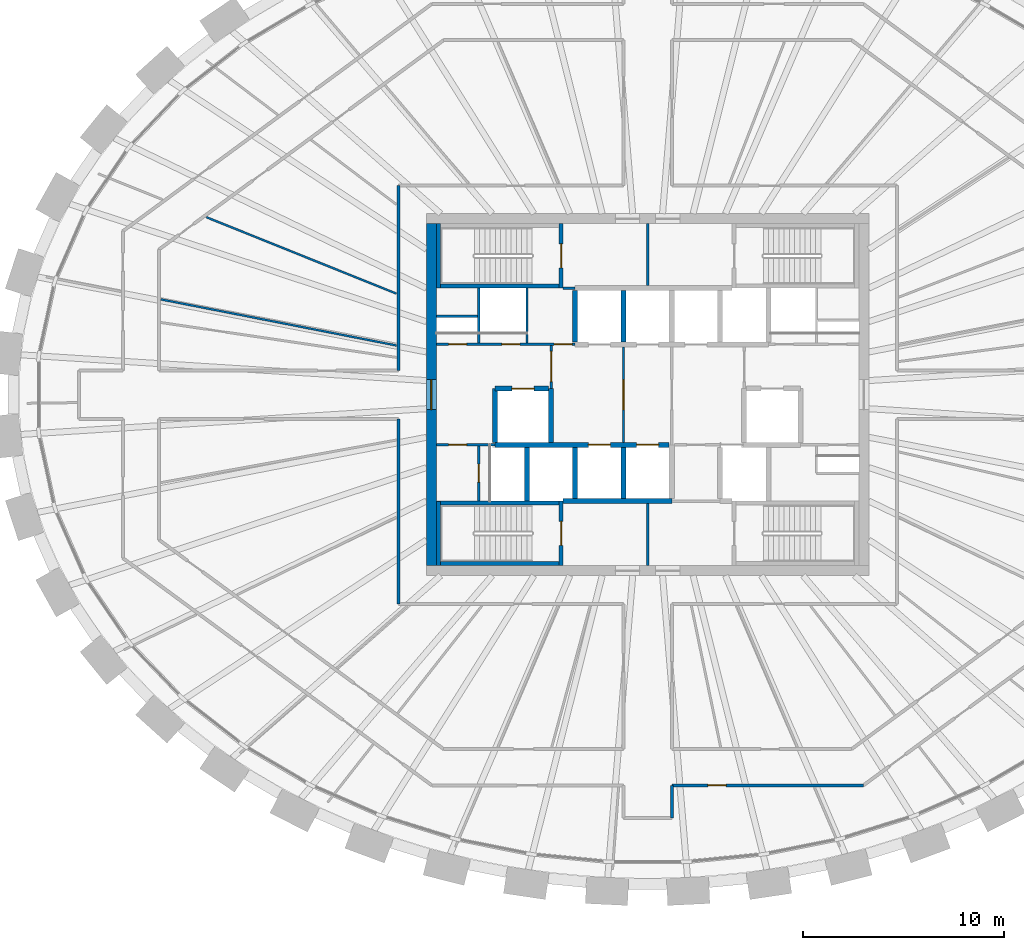
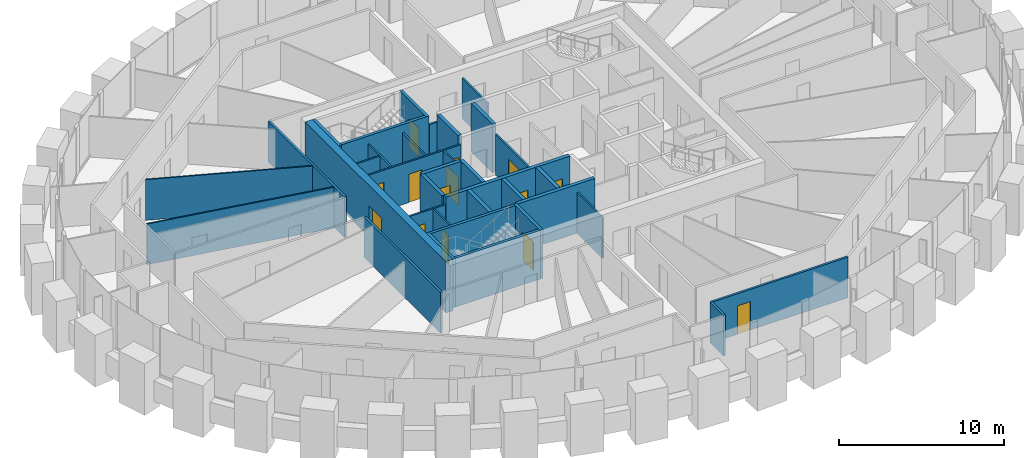
# One storey, part 7 of 12: 35 walls, 14 doors, 14 openings.
"""IFC4 building model written with IfcOpenShell, lengths in metres."""

from ifc_helpers import new_model, si_unit, direction, frame, frame_2d, origin, place, context, subcontext, project, spatial, rectangle, extrude, source, transform, mapped, material, layer, layer_set, type_object, element, fill, save


model = new_model("IFC4")

# Units and contexts
model_context = context("Model", 3, precision=1e-05, world=origin(), true_north=direction((0.0, 1.0)))
body_context = subcontext(model_context, "Body", "Model", "MODEL_VIEW")
ifc_project = project(units=[si_unit("LENGTHUNIT", "METRE"), si_unit("AREAUNIT", "SQUARE_METRE"), si_unit("VOLUMEUNIT", "CUBIC_METRE"), si_unit("PLANEANGLEUNIT", "RADIAN"), si_unit("MASSUNIT", "GRAM", prefix="KILO")], contexts=[model_context])

# Site, building, storey
site_placement = place(None, origin())
site = spatial("IfcSite", under=ifc_project, at=site_placement, CompositionType="ELEMENT")
building_placement = place(site_placement, origin())
building = spatial("IfcBuilding", under=site, at=building_placement, Name="Embergate Tower", CompositionType="ELEMENT")
storey_placement = place(building_placement, frame((0.0, 0.0, 285.10009765625)))
storey = spatial("IfcBuildingStorey", under=building, at=storey_placement, Name="L66", CompositionType="ELEMENT", Elevation=285.10009765625)

# Wall, opening, door
ifc_material_1 = material(Name="Concrete C50", Category="concrete")
ifc_layer_1 = layer(ifc_material_1, 0.5)
ifc_layer_set_1 = layer_set([ifc_layer_1], Name="Concrete C50")
wall_type_1 = type_object("IfcWallType", Name="Core outer wall C50 500", PredefinedType="SHEAR", material=ifc_layer_set_1)
shared_shape_1 = source(origin(), body_context, "Body", "SweptSolid", [
    extrude(rectangle(XDim=17.0, YDim=0.5, at=frame_2d((8.5, 0.0))), origin(), (0.0, 0.0, 1.0), 3.800048828125),
])
wall_1_placement = place(storey_placement, frame((-10.75, -8.5, -0.2001953125), z_axis=(0.0, 0.0, 1.0), x_axis=(0.0, 1.0, 0.0)))
wall_1 = element("IfcWall", 1, at=wall_1_placement, inside=storey, type_object=wall_type_1, Name="CW-L66-W", PredefinedType="SHEAR", context=body_context, shape_type="MappedRepresentation", body=[
    mapped(shared_shape_1, transform((0.0, 0.0, 0.0))),
])
shared_shape_2 = source(origin(), body_context, "Body", "SweptSolid", [
    extrude(rectangle(XDim=1.5, YDim=2.10009765625, at=frame_2d((0.75, 1.050048828125))), frame((0.0, 0.260009765625, 0.0), z_axis=(0.0, -1.0, 0.0), x_axis=(1.0, 0.0, 0.0)), (0.0, 0.0, 1.0), 0.52001953125),
])
opening_1_placement = place(wall_1_placement, frame((7.75, 0.0, 0.199951171875)))
opening_1 = element("IfcOpeningElement", 2, at=opening_1_placement, cuts=wall_1, Name="Opening IF-3", PredefinedType="OPENING", context=body_context, shape_type="MappedRepresentation", body=[
    mapped(shared_shape_2, transform((0.0, 0.0, 0.0))),
])
ifc_material_2 = material(Name="Lobby fire door pair 1500")
door_type_1 = type_object("IfcDoorType", Name="Lobby fire door pair 1500", OperationType="DOUBLE_DOOR_SINGLE_SWING", PredefinedType="DOOR", material=ifc_material_2)
shared_shape_3 = source(origin(), body_context, "Body", "SweptSolid", [
    extrude(rectangle(XDim=1.5, YDim=2.10009765625, at=frame_2d((0.75, 1.050048828125))), frame((0.0, 0.02490234375, 0.0), z_axis=(0.0, -1.0, 0.0), x_axis=(1.0, 0.0, 0.0)), (0.0, 0.0, 1.0), 0.050048828125),
])
door_1_placement = place(opening_1_placement, origin())
door_1 = element("IfcDoor", 3, at=door_1_placement, inside=storey, type_object=door_type_1, Name="IF-3 door", OperationType="DOUBLE_DOOR_SINGLE_SWING", OverallHeight=2.10009765625, OverallWidth=1.5, PredefinedType="DOOR", context=body_context, shape_type="MappedRepresentation", body=[
    mapped(shared_shape_3, transform((0.0, 0.0, 0.0))),
])
fill(opening_1, door_1)

# Wall
ifc_material_3 = material(Name="Core partition blockwork 120")
ifc_layer_2 = layer(ifc_material_3, 0.1201171875)
ifc_layer_set_2 = layer_set([ifc_layer_2], Name="Core partition blockwork 120")
wall_type_2 = type_object("IfcWallType", Name="Core partition blockwork 120", PredefinedType="PARTITIONING", material=ifc_layer_set_2)
shared_shape_4 = source(origin(), body_context, "Body", "SweptSolid", [
    extrude(rectangle(XDim=2.739990234375, YDim=0.1201171875, at=frame_2d((1.3701171875, 0.0))), origin(), (0.0, 0.0, 1.0), 3.0),
])
wall_2_placement = place(storey_placement, frame((-6.0, 2.56005859375, 0.0), z_axis=(0.0, 0.0, 1.0), x_axis=(0.0, 1.0, 0.0)))
element("IfcWall", 4, at=wall_2_placement, inside=storey, type_object=wall_type_2, Name="IP-3 wall", PredefinedType="PARTITIONING", context=body_context, shape_type="MappedRepresentation", body=[
    mapped(shared_shape_4, transform((0.0, 0.0, 0.0))),
])

# Wall, opening, door
wall_3_placement = place(storey_placement, frame((-8.39990234375, -2.56005859375, 0.0), z_axis=(0.0, 0.0, 1.0), x_axis=(0.0, -1.0, 0.0)))
wall_3 = element("IfcWall", 5, at=wall_3_placement, inside=storey, type_object=wall_type_2, Name="IP-3 wall", PredefinedType="PARTITIONING", context=body_context, shape_type="MappedRepresentation", body=[
    mapped(shared_shape_4, transform((0.0, 0.0, 0.0))),
])
shared_shape_5 = source(origin(), body_context, "Body", "SweptSolid", [
    extrude(rectangle(XDim=0.89990234375, YDim=2.10009765625, at=frame_2d((0.449951171875, 1.050048828125))), frame((0.0, 0.070068359375, 0.0), z_axis=(0.0, -1.0, 0.0), x_axis=(1.0, 0.0, 0.0)), (0.0, 0.0, 1.0), 0.14013671875),
])
opening_2_placement = place(wall_3_placement, frame((0.889892578125, 0.0, 0.0)))
opening_2 = element("IfcOpeningElement", 6, at=opening_2_placement, cuts=wall_3, Name="Opening ID-1", PredefinedType="OPENING", context=body_context, shape_type="MappedRepresentation", body=[
    mapped(shared_shape_5, transform((0.0, 0.0, 0.0))),
])
ifc_material_4 = material(Name="Interior door 900")
door_type_2 = type_object("IfcDoorType", Name="Interior door 900", OperationType="SINGLE_SWING_LEFT", PredefinedType="DOOR", material=ifc_material_4)
shared_shape_6 = source(origin(), body_context, "Body", "SweptSolid", [
    extrude(rectangle(XDim=0.89990234375, YDim=2.10009765625, at=frame_2d((0.449951171875, 1.050048828125))), frame((0.0, 0.02490234375, 0.0), z_axis=(0.0, -1.0, 0.0), x_axis=(1.0, 0.0, 0.0)), (0.0, 0.0, 1.0), 0.050048828125),
])
door_2_placement = place(opening_2_placement, origin())
door_2 = element("IfcDoor", 7, at=door_2_placement, inside=storey, type_object=door_type_2, Name="ID-1 door", OperationType="SINGLE_SWING_LEFT", OverallHeight=2.10009765625, OverallWidth=0.89990234375, PredefinedType="DOOR", context=body_context, shape_type="MappedRepresentation", body=[
    mapped(shared_shape_6, transform((0.0, 0.0, 0.0))),
])
fill(opening_2, door_2)

shared_shape_7 = source(origin(), body_context, "Body", "SweptSolid", [
    extrude(rectangle(XDim=4.75, YDim=0.1201171875, at=frame_2d((2.375, 0.0))), origin(), (0.0, 0.0, 1.0), 3.0),
])
wall_4_placement = place(storey_placement, frame((-1.199951171875, -2.375, 0.0), z_axis=(0.0, 0.0, 1.0), x_axis=(0.0, 1.0, 0.0)))
wall_4 = element("IfcWall", 8, at=wall_4_placement, inside=storey, type_object=wall_type_2, Name="IP-3 wall", PredefinedType="PARTITIONING", context=body_context, shape_type="MappedRepresentation", body=[
    mapped(shared_shape_7, transform((0.0, 0.0, 0.0))),
])
shared_shape_8 = source(origin(), body_context, "Body", "SweptSolid", [
    extrude(rectangle(XDim=1.5, YDim=2.10009765625, at=frame_2d((0.75, 1.050048828125))), frame((0.0, 0.070068359375, 0.0), z_axis=(0.0, -1.0, 0.0), x_axis=(1.0, 0.0, 0.0)), (0.0, 0.0, 1.0), 0.14013671875),
])
opening_3_placement = place(wall_4_placement, frame((1.625, 0.0, 0.0)))
opening_3 = element("IfcOpeningElement", 9, at=opening_3_placement, cuts=wall_4, Name="Opening IF-3", PredefinedType="OPENING", context=body_context, shape_type="MappedRepresentation", body=[
    mapped(shared_shape_8, transform((0.0, 0.0, 0.0))),
])
door_3_placement = place(opening_3_placement, origin())
door_3 = element("IfcDoor", 10, at=door_3_placement, inside=storey, type_object=door_type_1, Name="IF-3 door", OperationType="DOUBLE_DOOR_SINGLE_SWING", OverallHeight=2.10009765625, OverallWidth=1.5, PredefinedType="DOOR", context=body_context, shape_type="MappedRepresentation", body=[
    mapped(shared_shape_3, transform((0.0, 0.0, 0.0))),
])
fill(opening_3, door_3)

# Walls
ifc_layer_3 = layer(ifc_material_1, 0.25)
ifc_layer_set_3 = layer_set([ifc_layer_3], Name="Concrete C50")
wall_type_3 = type_object("IfcWallType", Name="Hoistway wall reinforced concrete 250", PredefinedType="SHEAR", material=ifc_layer_set_3)
shared_shape_9 = source(origin(), body_context, "Body", "SweptSolid", [
    extrude(rectangle(XDim=2.675048828125, YDim=0.25, at=frame_2d((1.33740234375, 0.0))), origin(), (0.0, 0.0, 1.0), 3.599853515625),
])
for number, where, z_axis, x_axis, name in (
    (11, (-6.0, -5.300048828125, 0.0), (0.0, 0.0, 1.0), (0.0, 1.0, 0.0), "HW-1 wall"),
    (12, (-4.800048828125, 0.300048828125, 0.0), (0.0, 0.0, 1.0), (0.0, -1.0, 0.0), "HW-1 wall"),
):
    element("IfcWall", number, at=place(storey_placement, frame(where, z_axis=z_axis, x_axis=x_axis)), inside=storey, type_object=wall_type_3, Name=name, PredefinedType="SHEAR", context=body_context, shape_type="MappedRepresentation", body=[
        mapped(shared_shape_9, transform((0.0, 0.0, 0.0))),
    ])

# Wall, opening, door
wall_5_placement = place(storey_placement, frame((-4.925048828125, 0.300048828125, 0.0), z_axis=(0.0, 0.0, 1.0), x_axis=(-1.0, 0.0, 0.0)))
wall_5 = element("IfcWall", 13, at=wall_5_placement, inside=storey, type_object=wall_type_3, Name="HW-1 wall", PredefinedType="SHEAR", context=body_context, shape_type="MappedRepresentation", body=[
    mapped(shared_shape_9, transform((0.0, 0.0, 0.0))),
])
shared_shape_10 = source(origin(), body_context, "Body", "SweptSolid", [
    extrude(rectangle(XDim=1.10009765625, YDim=2.10009765625, at=frame_2d((0.550048828125, 1.050048828125))), frame((0.0, 0.135009765625, 0.0), z_axis=(0.0, -1.0, 0.0), x_axis=(1.0, 0.0, 0.0)), (0.0, 0.0, 1.0), 0.27001953125),
])
opening_4_placement = place(wall_5_placement, frame((0.72509765625, 0.0, 0.0)))
opening_4 = element("IfcOpeningElement", 14, at=opening_4_placement, cuts=wall_5, Name="Opening LD", PredefinedType="OPENING", context=body_context, shape_type="MappedRepresentation", body=[
    mapped(shared_shape_10, transform((0.0, 0.0, 0.0))),
])
ifc_material_5 = material(Name="Landing door sliding 1100")
door_type_3 = type_object("IfcDoorType", Name="Landing door sliding 1100", OperationType="SLIDING_TO_LEFT", PredefinedType="DOOR", material=ifc_material_5)
shared_shape_11 = source(origin(), body_context, "Body", "SweptSolid", [
    extrude(rectangle(XDim=1.10009765625, YDim=2.10009765625, at=frame_2d((0.550048828125, 1.050048828125))), frame((0.0, 0.02490234375, 0.0), z_axis=(0.0, -1.0, 0.0), x_axis=(1.0, 0.0, 0.0)), (0.0, 0.0, 1.0), 0.050048828125),
])
door_4_placement = place(opening_4_placement, origin())
door_4 = element("IfcDoor", 15, at=door_4_placement, inside=storey, type_object=door_type_3, Name="LD door", OperationType="SLIDING_TO_RIGHT", OverallHeight=2.10009765625, OverallWidth=1.10009765625, PredefinedType="DOOR", context=body_context, shape_type="MappedRepresentation", body=[
    mapped(shared_shape_11, transform((0.0, 0.0, 0.0))),
])
fill(opening_4, door_4)

# Walls
wall_6_placement = place(storey_placement, frame((-7.60009765625, 0.300048828125, 0.0), z_axis=(0.0, 0.0, 1.0), x_axis=(0.0, -1.0, 0.0)))
element("IfcWall", 16, at=wall_6_placement, inside=storey, type_object=wall_type_3, Name="HW-1 wall", PredefinedType="SHEAR", context=body_context, shape_type="MappedRepresentation", body=[
    mapped(shared_shape_9, transform((0.0, 0.0, 0.0))),
])
ifc_layer_4 = layer(ifc_material_1, 0.199951171875)
ifc_layer_set_4 = layer_set([ifc_layer_4], Name="Concrete C50")
wall_type_4 = type_object("IfcWallType", Name="Stair enclosure wall reinforced concrete 250", PredefinedType="SHEAR", material=ifc_layer_set_4)
shared_shape_12 = source(origin(), body_context, "Body", "SweptSolid", [
    extrude(rectangle(XDim=6.300048828125, YDim=0.199951171875, at=frame_2d((3.14990234375, 0.0))), origin(), (0.0, 0.0, 1.0), 3.599853515625),
])
for number, where, z_axis, x_axis, name in (
    (17, (-4.199951171875, 5.39990234375, 0.0), (0.0, 0.0, 1.0), (-1.0, 0.0, 0.0), "SE-1 wall"),
    (18, (-10.5, -5.39990234375, 0.0), (0.0, 0.0, 1.0), (1.0, 0.0, 0.0), "SE-1 wall"),
):
    element("IfcWall", number, at=place(storey_placement, frame(where, z_axis=z_axis, x_axis=x_axis)), inside=storey, type_object=wall_type_4, Name=name, PredefinedType="SHEAR", context=body_context, shape_type="MappedRepresentation", body=[
        mapped(shared_shape_12, transform((0.0, 0.0, 0.0))),
    ])
shared_shape_13 = source(origin(), body_context, "Body", "SweptSolid", [
    extrude(rectangle(XDim=2.550048828125, YDim=0.25, at=frame_2d((1.27490234375, 0.0))), origin(), (0.0, 0.0, 1.0), 3.599853515625),
])
for number, where, z_axis, x_axis, name in (
    (19, (-1.199951171875, 2.625, 0.0), (0.0, 0.0, 1.0), (0.0, 1.0, 0.0), "HW-1 wall"),
    (20, (-3.60009765625, 5.175048828125, 0.0), (0.0, 0.0, 1.0), (0.0, -1.0, 0.0), "HW-1 wall"),
    (21, (-3.60009765625, -5.175048828125, 0.0), (0.0, 0.0, 1.0), (0.0, 1.0, 0.0), "HW-1 wall"),
    (22, (-1.199951171875, -5.175048828125, 0.0), (0.0, 0.0, 1.0), (0.0, 1.0, 0.0), "HW-1 wall"),
):
    element("IfcWall", number, at=place(storey_placement, frame(where, z_axis=z_axis, x_axis=x_axis)), inside=storey, type_object=wall_type_3, Name=name, PredefinedType="SHEAR", context=body_context, shape_type="MappedRepresentation", body=[
        mapped(shared_shape_13, transform((0.0, 0.0, 0.0))),
    ])

# Wall, opening, door
shared_shape_14 = source(origin(), body_context, "Body", "SweptSolid", [
    extrude(rectangle(XDim=3.199951171875, YDim=0.199951171875, at=frame_2d((1.60009765625, 0.0))), origin(), (0.0, 0.0, 1.0), 3.599853515625),
])
wall_7_placement = place(storey_placement, frame((-4.300048828125, 5.300048828125, 0.0), z_axis=(0.0, 0.0, 1.0), x_axis=(0.0, 1.0, 0.0)))
wall_7 = element("IfcWall", 23, at=wall_7_placement, inside=storey, type_object=wall_type_4, Name="SE-1 wall", PredefinedType="SHEAR", context=body_context, shape_type="MappedRepresentation", body=[
    mapped(shared_shape_14, transform((0.0, 0.0, 0.0))),
])
shared_shape_15 = source(origin(), body_context, "Body", "SweptSolid", [
    extrude(rectangle(XDim=1.199951171875, YDim=2.10009765625, at=frame_2d((0.60009765625, 1.050048828125))), frame((0.0, 0.10986328125, 0.0), z_axis=(0.0, -1.0, 0.0), x_axis=(1.0, 0.0, 0.0)), (0.0, 0.0, 1.0), 0.219970703125),
])
opening_5_placement = place(wall_7_placement, frame((1.0, 0.0, 0.0)))
opening_5 = element("IfcOpeningElement", 24, at=opening_5_placement, cuts=wall_7, Name="Opening IF-2", PredefinedType="OPENING", context=body_context, shape_type="MappedRepresentation", body=[
    mapped(shared_shape_15, transform((0.0, 0.0, 0.0))),
])
ifc_material_6 = material(Name="Stair enclosure door 1200")
door_type_4 = type_object("IfcDoorType", Name="Stair enclosure door 1200", OperationType="SINGLE_SWING_LEFT", PredefinedType="DOOR", material=ifc_material_6)
shared_shape_16 = source(origin(), body_context, "Body", "SweptSolid", [
    extrude(rectangle(XDim=1.199951171875, YDim=2.10009765625, at=frame_2d((0.60009765625, 1.050048828125))), frame((0.0, 0.02490234375, 0.0), z_axis=(0.0, -1.0, 0.0), x_axis=(1.0, 0.0, 0.0)), (0.0, 0.0, 1.0), 0.050048828125),
])
door_5_placement = place(opening_5_placement, origin())
door_5 = element("IfcDoor", 25, at=door_5_placement, inside=storey, type_object=door_type_4, Name="IF-2 door", OperationType="SINGLE_SWING_RIGHT", OverallHeight=2.10009765625, OverallWidth=1.199951171875, PredefinedType="DOOR", context=body_context, shape_type="MappedRepresentation", body=[
    mapped(shared_shape_16, transform((0.0, 0.0, 0.0))),
])
fill(opening_5, door_5)

wall_8_placement = place(storey_placement, frame((-4.300048828125, -8.5, 0.0), z_axis=(0.0, 0.0, 1.0), x_axis=(0.0, 1.0, 0.0)))
wall_8 = element("IfcWall", 26, at=wall_8_placement, inside=storey, type_object=wall_type_4, Name="SE-1 wall", PredefinedType="SHEAR", context=body_context, shape_type="MappedRepresentation", body=[
    mapped(shared_shape_14, transform((0.0, 0.0, 0.0))),
])
opening_6_placement = place(wall_8_placement, frame((1.0, 0.0, 0.0)))
opening_6 = element("IfcOpeningElement", 27, at=opening_6_placement, cuts=wall_8, Name="Opening IF-2", PredefinedType="OPENING", context=body_context, shape_type="MappedRepresentation", body=[
    mapped(shared_shape_15, transform((0.0, 0.0, 0.0))),
])
door_6_placement = place(opening_6_placement, origin())
door_6 = element("IfcDoor", 28, at=door_6_placement, inside=storey, type_object=door_type_4, Name="IF-2 door", OperationType="SINGLE_SWING_RIGHT", OverallHeight=2.10009765625, OverallWidth=1.199951171875, PredefinedType="DOOR", context=body_context, shape_type="MappedRepresentation", body=[
    mapped(shared_shape_16, transform((0.0, 0.0, 0.0))),
])
fill(opening_6, door_6)

# Wall
wall_9_placement = place(storey_placement, frame((-10.39990234375, 8.5, 0.0), z_axis=(0.0, 0.0, 1.0), x_axis=(0.0, -1.0, 0.0)))
element("IfcWall", 29, at=wall_9_placement, inside=storey, type_object=wall_type_4, Name="SE-1 wall", PredefinedType="SHEAR", context=body_context, shape_type="MappedRepresentation", body=[
    mapped(shared_shape_14, transform((0.0, 0.0, 0.0))),
])

# Wall, opening, door
ifc_material_7 = material(Name="Corridor wall dry-lined 150")
ifc_layer_5 = layer(ifc_material_7, 0.14990234375)
ifc_layer_set_5 = layer_set([ifc_layer_5], Name="Corridor wall dry-lined 150")
wall_type_5 = type_object("IfcWallType", Name="Corridor wall dry-lined 150", PredefinedType="PARTITIONING", material=ifc_layer_set_5)
shared_shape_17 = source(origin(), body_context, "Body", "SweptSolid", [
    extrude(rectangle(XDim=9.531982421875, YDim=0.14990234375, at=frame_2d((4.76611328125, 0.0))), origin(), (0.0, 0.0, 1.0), 3.0),
])
wall_10_placement = place(storey_placement, frame((10.73193359375, -19.428955078125, 0.0), z_axis=(0.0, 0.0, 1.0), x_axis=(-1.0, 0.0, 0.0)))
wall_10 = element("IfcWall", 30, at=wall_10_placement, inside=storey, type_object=wall_type_5, Name="IP-2 wall", PredefinedType="PARTITIONING", context=body_context, shape_type="MappedRepresentation", body=[
    mapped(shared_shape_17, transform((0.0, 0.0, 0.0))),
])
shared_shape_18 = source(origin(), body_context, "Body", "SweptSolid", [
    extrude(rectangle(XDim=0.89990234375, YDim=2.10009765625, at=frame_2d((0.449951171875, 1.050048828125))), frame((0.0, 0.0849609375, 0.0), z_axis=(0.0, -1.0, 0.0), x_axis=(1.0, 0.0, 0.0)), (0.0, 0.0, 1.0), 0.169921875),
])
opening_7_placement = place(wall_10_placement, frame((6.832275390625, 0.0, 0.0)))
opening_7 = element("IfcOpeningElement", 31, at=opening_7_placement, cuts=wall_10, Name="Opening IF-1c", PredefinedType="OPENING", context=body_context, shape_type="MappedRepresentation", body=[
    mapped(shared_shape_18, transform((0.0, 0.0, 0.0))),
])
ifc_material_8 = material(Name="Escape fire door 900")
door_type_5 = type_object("IfcDoorType", Name="Escape fire door 900", OperationType="SINGLE_SWING_LEFT", PredefinedType="DOOR", material=ifc_material_8)
door_7_placement = place(opening_7_placement, origin())
door_7 = element("IfcDoor", 32, at=door_7_placement, inside=storey, type_object=door_type_5, Name="IF-1 door", OperationType="SINGLE_SWING_RIGHT", OverallHeight=2.10009765625, OverallWidth=0.89990234375, PredefinedType="DOOR", context=body_context, shape_type="MappedRepresentation", body=[
    mapped(shared_shape_6, transform((0.0, 0.0, 0.0))),
])
fill(opening_7, door_7)

# Walls
shared_shape_19 = source(origin(), body_context, "Body", "SweptSolid", [
    extrude(rectangle(XDim=9.199951171875, YDim=0.14990234375, at=frame_2d((4.60009765625, 0.0))), origin(), (0.0, 0.0, 1.0), 3.0),
])
for number, where, z_axis, x_axis, name in (
    (33, (-12.39990234375, -1.199951171875, 0.0), (0.0, 0.0, 1.0), (0.0, -1.0, 0.0), "IP-2 wall"),
    (34, (-12.39990234375, 1.199951171875, 0.0), (0.0, 0.0, 1.0), (0.0, 1.0, 0.0), "IP-2 wall"),
):
    element("IfcWall", number, at=place(storey_placement, frame(where, z_axis=z_axis, x_axis=x_axis)), inside=storey, type_object=wall_type_5, Name=name, PredefinedType="PARTITIONING", context=body_context, shape_type="MappedRepresentation", body=[
        mapped(shared_shape_19, transform((0.0, 0.0, 0.0))),
    ])
shared_shape_20 = source(origin(), body_context, "Body", "SweptSolid", [
    extrude(rectangle(XDim=1.626953125, YDim=0.14990234375, at=frame_2d((0.8134765625, 0.0))), origin(), (0.0, 0.0, 1.0), 3.0),
])
wall_11_placement = place(storey_placement, frame((1.199951171875, -19.428955078125, 0.0), z_axis=(0.0, 0.0, 1.0), x_axis=(0.0, -1.0, 0.0)))
element("IfcWall", 35, at=wall_11_placement, inside=storey, type_object=wall_type_5, Name="IP-2 wall", PredefinedType="PARTITIONING", context=body_context, shape_type="MappedRepresentation", body=[
    mapped(shared_shape_20, transform((0.0, 0.0, 0.0))),
])
ifc_material_9 = material(Name="Partition dry-lined 100")
ifc_layer_6 = layer(ifc_material_9, 0.10009765625)
ifc_layer_set_6 = layer_set([ifc_layer_6], Name="Partition dry-lined 100")
wall_type_6 = type_object("IfcWallType", Name="Partition dry-lined 100", PredefinedType="PARTITIONING", material=ifc_layer_set_6)
shared_shape_21 = source(origin(), body_context, "Body", "SweptSolid", [
    extrude(rectangle(XDim=11.94921875, YDim=0.10009765625, at=frame_2d((5.974609375, 0.0))), origin(), (0.0, 0.0, 1.0), 3.0),
])
wall_12_placement = place(storey_placement, frame((-12.485107421875, 2.443115234375, 0.0), z_axis=(0.0, 0.0, 1.0), x_axis=(-0.981384033043, 0.192055668199, 0.0)))
element("IfcWall", 36, at=wall_12_placement, inside=storey, type_object=wall_type_6, Name="IP-1 wall", PredefinedType="PARTITIONING", context=body_context, shape_type="MappedRepresentation", body=[
    mapped(shared_shape_21, transform((0.0, 0.0, 0.0))),
])
shared_shape_22 = source(origin(), body_context, "Body", "SweptSolid", [
    extrude(rectangle(XDim=10.185546875, YDim=0.10009765625, at=frame_2d((5.0927734375, 0.0))), origin(), (0.0, 0.0, 1.0), 3.0),
])
wall_13_placement = place(storey_placement, frame((-12.493896484375, 5.02392578125, 0.0), z_axis=(0.0, 0.0, 1.0), x_axis=(-0.927799056182, 0.373080301474, 0.0)))
element("IfcWall", 37, at=wall_13_placement, inside=storey, type_object=wall_type_6, Name="IP-1 wall", PredefinedType="PARTITIONING", context=body_context, shape_type="MappedRepresentation", body=[
    mapped(shared_shape_22, transform((0.0, 0.0, 0.0))),
])

# Wall, openings, doors
shared_shape_23 = source(origin(), body_context, "Body", "SweptSolid", [
    extrude(rectangle(XDim=6.89990234375, YDim=0.1201171875, at=frame_2d((3.449951171875, 0.0))), origin(), (0.0, 0.0, 1.0), 3.0),
])
wall_14_placement = place(storey_placement, frame((-10.5, 2.5, 0.0), z_axis=(0.0, 0.0, 1.0), x_axis=(1.0, 0.0, 0.0)))
wall_14 = element("IfcWall", 38, at=wall_14_placement, inside=storey, type_object=wall_type_2, Name="IP-3 wall", PredefinedType="PARTITIONING", context=body_context, shape_type="MappedRepresentation", body=[
    mapped(shared_shape_23, transform((0.0, 0.0, 0.0))),
])
opening_8_placement = place(wall_14_placement, frame((3.25, 0.0, 0.0)))
opening_8 = element("IfcOpeningElement", 39, at=opening_8_placement, cuts=wall_14, Name="Opening ID-1", PredefinedType="OPENING", context=body_context, shape_type="MappedRepresentation", body=[
    mapped(shared_shape_5, transform((0.0, 0.0, 0.0))),
])
opening_9_placement = place(wall_14_placement, frame((5.85009765625, 0.0, 0.0)))
opening_9 = element("IfcOpeningElement", 40, at=opening_9_placement, cuts=wall_14, Name="Opening ID-1", PredefinedType="OPENING", context=body_context, shape_type="MappedRepresentation", body=[
    mapped(shared_shape_5, transform((0.0, 0.0, 0.0))),
])
opening_10_placement = place(wall_14_placement, frame((0.60009765625, 0.0, 0.0)))
opening_10 = element("IfcOpeningElement", 41, at=opening_10_placement, cuts=wall_14, Name="Opening ID-1", PredefinedType="OPENING", context=body_context, shape_type="MappedRepresentation", body=[
    mapped(shared_shape_5, transform((0.0, 0.0, 0.0))),
])
door_8_placement = place(opening_8_placement, origin())
door_8 = element("IfcDoor", 42, at=door_8_placement, inside=storey, type_object=door_type_2, Name="ID-1 door", OperationType="SINGLE_SWING_LEFT", OverallHeight=2.10009765625, OverallWidth=0.89990234375, PredefinedType="DOOR", context=body_context, shape_type="MappedRepresentation", body=[
    mapped(shared_shape_6, transform((0.0, 0.0, 0.0))),
])
fill(opening_8, door_8)
door_9_placement = place(opening_9_placement, origin())
door_9 = element("IfcDoor", 43, at=door_9_placement, inside=storey, type_object=door_type_2, Name="ID-1 door", OperationType="SINGLE_SWING_LEFT", OverallHeight=2.10009765625, OverallWidth=0.89990234375, PredefinedType="DOOR", context=body_context, shape_type="MappedRepresentation", body=[
    mapped(shared_shape_6, transform((0.0, 0.0, 0.0))),
])
fill(opening_9, door_9)
door_10_placement = place(opening_10_placement, origin())
door_10 = element("IfcDoor", 44, at=door_10_placement, inside=storey, type_object=door_type_2, Name="ID-1 door", OperationType="SINGLE_SWING_RIGHT", OverallHeight=2.10009765625, OverallWidth=0.89990234375, PredefinedType="DOOR", context=body_context, shape_type="MappedRepresentation", body=[
    mapped(shared_shape_6, transform((0.0, 0.0, 0.0))),
])
fill(opening_10, door_10)

# Wall
shared_shape_24 = source(origin(), body_context, "Body", "SweptSolid", [
    extrude(rectangle(XDim=2.738037109375, YDim=0.1201171875, at=frame_2d((1.369140625, 0.0))), origin(), (0.0, 0.0, 1.0), 3.0),
])
wall_15_placement = place(storey_placement, frame((-8.39990234375, 5.298095703125, 0.0), z_axis=(0.0, 0.0, 1.0), x_axis=(0.0, -1.0, 0.0)))
element("IfcWall", 45, at=wall_15_placement, inside=storey, type_object=wall_type_2, Name="IP-3 wall", PredefinedType="PARTITIONING", context=body_context, shape_type="MappedRepresentation", body=[
    mapped(shared_shape_24, transform((0.0, 0.0, 0.0))),
])

# Wall, openings, doors
shared_shape_25 = source(origin(), body_context, "Body", "SweptSolid", [
    extrude(rectangle(XDim=8.675048828125, YDim=0.25, at=frame_2d((4.33740234375, 0.0))), origin(), (0.0, 0.0, 1.0), 3.599853515625),
])
wall_16_placement = place(storey_placement, frame((1.074951171875, -2.5, 0.0), z_axis=(0.0, 0.0, 1.0), x_axis=(-1.0, 0.0, 0.0)))
wall_16 = element("IfcWall", 46, at=wall_16_placement, inside=storey, type_object=wall_type_3, Name="HW-1 wall", PredefinedType="SHEAR", context=body_context, shape_type="MappedRepresentation", body=[
    mapped(shared_shape_25, transform((0.0, 0.0, 0.0))),
])
opening_11_placement = place(wall_16_placement, frame((2.925048828125, 0.0, 0.0)))
opening_11 = element("IfcOpeningElement", 47, at=opening_11_placement, cuts=wall_16, Name="Opening LD", PredefinedType="OPENING", context=body_context, shape_type="MappedRepresentation", body=[
    mapped(shared_shape_10, transform((0.0, 0.0, 0.0))),
])
opening_12_placement = place(wall_16_placement, frame((0.52490234375, 0.0, 0.0)))
opening_12 = element("IfcOpeningElement", 48, at=opening_12_placement, cuts=wall_16, Name="Opening LD", PredefinedType="OPENING", context=body_context, shape_type="MappedRepresentation", body=[
    mapped(shared_shape_10, transform((0.0, 0.0, 0.0))),
])
door_11_placement = place(opening_11_placement, origin())
door_11 = element("IfcDoor", 49, at=door_11_placement, inside=storey, type_object=door_type_3, Name="LD door", OperationType="SLIDING_TO_LEFT", OverallHeight=2.10009765625, OverallWidth=1.10009765625, PredefinedType="DOOR", context=body_context, shape_type="MappedRepresentation", body=[
    mapped(shared_shape_11, transform((0.0, 0.0, 0.0))),
])
fill(opening_11, door_11)
door_12_placement = place(opening_12_placement, origin())
door_12 = element("IfcDoor", 50, at=door_12_placement, inside=storey, type_object=door_type_3, Name="LD door", OperationType="SLIDING_TO_LEFT", OverallHeight=2.10009765625, OverallWidth=1.10009765625, PredefinedType="DOOR", context=body_context, shape_type="MappedRepresentation", body=[
    mapped(shared_shape_11, transform((0.0, 0.0, 0.0))),
])
fill(opening_12, door_12)

# Wall, opening, door
shared_shape_26 = source(origin(), body_context, "Body", "SweptSolid", [
    extrude(rectangle(XDim=2.89990234375, YDim=0.1201171875, at=frame_2d((1.449951171875, 0.0))), origin(), (0.0, 0.0, 1.0), 3.0),
])
wall_17_placement = place(storey_placement, frame((-7.60009765625, -2.5, 0.0), z_axis=(0.0, 0.0, 1.0), x_axis=(-1.0, 0.0, 0.0)))
wall_17 = element("IfcWall", 51, at=wall_17_placement, inside=storey, type_object=wall_type_2, Name="IP-3 wall", PredefinedType="PARTITIONING", context=body_context, shape_type="MappedRepresentation", body=[
    mapped(shared_shape_26, transform((0.0, 0.0, 0.0))),
])
opening_13_placement = place(wall_17_placement, frame((1.39990234375, 0.0, 0.0)))
opening_13 = element("IfcOpeningElement", 52, at=opening_13_placement, cuts=wall_17, Name="Opening ID-1", PredefinedType="OPENING", context=body_context, shape_type="MappedRepresentation", body=[
    mapped(shared_shape_5, transform((0.0, 0.0, 0.0))),
])
door_13_placement = place(opening_13_placement, origin())
door_13 = element("IfcDoor", 53, at=door_13_placement, inside=storey, type_object=door_type_2, Name="ID-1 door", OperationType="SINGLE_SWING_RIGHT", OverallHeight=2.10009765625, OverallWidth=0.89990234375, PredefinedType="DOOR", context=body_context, shape_type="MappedRepresentation", body=[
    mapped(shared_shape_6, transform((0.0, 0.0, 0.0))),
])
fill(opening_13, door_13)

# Wall
shared_shape_27 = source(origin(), body_context, "Body", "SweptSolid", [
    extrude(rectangle(XDim=5.39990234375, YDim=0.25, at=frame_2d((2.699951171875, 0.0))), origin(), (0.0, 0.0, 1.0), 3.599853515625),
])
wall_18_placement = place(storey_placement, frame((-4.199951171875, -5.300048828125, 0.0), z_axis=(0.0, 0.0, 1.0), x_axis=(1.0, 0.0, 0.0)))
element("IfcWall", 54, at=wall_18_placement, inside=storey, type_object=wall_type_3, Name="HW-1 wall", PredefinedType="SHEAR", context=body_context, shape_type="MappedRepresentation", body=[
    mapped(shared_shape_27, transform((0.0, 0.0, 0.0))),
])

# Wall, opening, door
shared_shape_28 = source(origin(), body_context, "Body", "SweptSolid", [
    extrude(rectangle(XDim=2.139892578125, YDim=0.1201171875, at=frame_2d((1.06982421875, 0.0))), origin(), (0.0, 0.0, 1.0), 3.0),
])
wall_19_placement = place(storey_placement, frame((-4.800048828125, 2.43994140625, 0.0), z_axis=(0.0, 0.0, 1.0), x_axis=(0.0, -1.0, 0.0)))
wall_19 = element("IfcWall", 55, at=wall_19_placement, inside=storey, type_object=wall_type_2, Name="IP-3 wall", PredefinedType="PARTITIONING", context=body_context, shape_type="MappedRepresentation", body=[
    mapped(shared_shape_28, transform((0.0, 0.0, 0.0))),
])
opening_14_placement = place(wall_19_placement, frame((0.2900390625, 0.0, 0.0)))
opening_14 = element("IfcOpeningElement", 56, at=opening_14_placement, cuts=wall_19, Name="Opening IF-3", PredefinedType="OPENING", context=body_context, shape_type="MappedRepresentation", body=[
    mapped(shared_shape_8, transform((0.0, 0.0, 0.0))),
])
door_14_placement = place(opening_14_placement, origin())
door_14 = element("IfcDoor", 57, at=door_14_placement, inside=storey, type_object=door_type_1, Name="IF-3 door", OperationType="DOUBLE_DOOR_SINGLE_SWING", OverallHeight=2.10009765625, OverallWidth=1.5, PredefinedType="DOOR", context=body_context, shape_type="MappedRepresentation", body=[
    mapped(shared_shape_3, transform((0.0, 0.0, 0.0))),
])
fill(opening_14, door_14)

# Walls
shared_shape_29 = source(origin(), body_context, "Body", "SweptSolid", [
    extrude(rectangle(XDim=3.074951171875, YDim=0.1201171875, at=frame_2d((1.53759765625, 0.0))), origin(), (0.0, 0.0, 1.0), 3.0),
])
for number, where, z_axis, x_axis, name in (
    (58, (0.0, 5.425048828125, 0.0), (0.0, 0.0, 1.0), (0.0, 1.0, 0.0), "IP-3 wall"),
    (59, (0.0, -8.5, 0.0), (0.0, 0.0, 1.0), (0.0, 1.0, 0.0), "IP-3 wall"),
):
    element("IfcWall", number, at=place(storey_placement, frame(where, z_axis=z_axis, x_axis=x_axis)), inside=storey, type_object=wall_type_2, Name=name, PredefinedType="PARTITIONING", context=body_context, shape_type="MappedRepresentation", body=[
        mapped(shared_shape_29, transform((0.0, 0.0, 0.0))),
    ])
shared_shape_30 = source(origin(), body_context, "Body", "SweptSolid", [
    extrude(rectangle(XDim=0.599853515625, YDim=0.1201171875, at=frame_2d((0.2998046875, 0.0))), origin(), (0.0, 0.0, 1.0), 3.0),
])
wall_20_placement = place(storey_placement, frame((-4.199951171875, 5.300048828125, 0.0), z_axis=(0.0, 0.0, 1.0), x_axis=(1.0, 0.0, 0.0)))
element("IfcWall", 60, at=wall_20_placement, inside=storey, type_object=wall_type_2, Name="IP-3 wall", PredefinedType="PARTITIONING", context=body_context, shape_type="MappedRepresentation", body=[
    mapped(shared_shape_30, transform((0.0, 0.0, 0.0))),
])
shared_shape_31 = source(origin(), body_context, "Body", "SweptSolid", [
    extrude(rectangle(XDim=6.298095703125, YDim=0.199951171875, at=frame_2d((3.14892578125, 0.0))), origin(), (0.0, 0.0, 1.0), 3.599853515625),
])
wall_21_placement = place(storey_placement, frame((-10.5, -8.39990234375, 0.0), z_axis=(0.0, 0.0, 1.0), x_axis=(1.0, 0.0, 0.0)))
element("IfcWall", 61, at=wall_21_placement, inside=storey, type_object=wall_type_4, Name="SE-1 wall", PredefinedType="SHEAR", context=body_context, shape_type="MappedRepresentation", body=[
    mapped(shared_shape_31, transform((0.0, 0.0, 0.0))),
])
shared_shape_32 = source(origin(), body_context, "Body", "SweptSolid", [
    extrude(rectangle(XDim=3.197998046875, YDim=0.199951171875, at=frame_2d((1.59912109375, 0.0))), origin(), (0.0, 0.0, 1.0), 3.599853515625),
])
wall_22_placement = place(storey_placement, frame((-10.39990234375, -5.302001953125, 0.0), z_axis=(0.0, 0.0, 1.0), x_axis=(0.0, -1.0, 0.0)))
element("IfcWall", 62, at=wall_22_placement, inside=storey, type_object=wall_type_4, Name="SE-1 wall", PredefinedType="SHEAR", context=body_context, shape_type="MappedRepresentation", body=[
    mapped(shared_shape_32, transform((0.0, 0.0, 0.0))),
])
shared_shape_33 = source(origin(), body_context, "Body", "SweptSolid", [
    extrude(rectangle(XDim=2.0380859375, YDim=0.1201171875, at=frame_2d((1.01904296875, 0.0))), origin(), (0.0, 0.0, 1.0), 3.0),
])
wall_23_placement = place(storey_placement, frame((-8.4619140625, 3.89990234375, 0.0), z_axis=(0.0, 0.0, 1.0), x_axis=(-1.0, 0.0, 0.0)))
element("IfcWall", 63, at=wall_23_placement, inside=storey, type_object=wall_type_2, Name="IP-3 wall", PredefinedType="PARTITIONING", context=body_context, shape_type="MappedRepresentation", body=[
    mapped(shared_shape_33, transform((0.0, 0.0, 0.0))),
])

save(model, "model.ifc")
